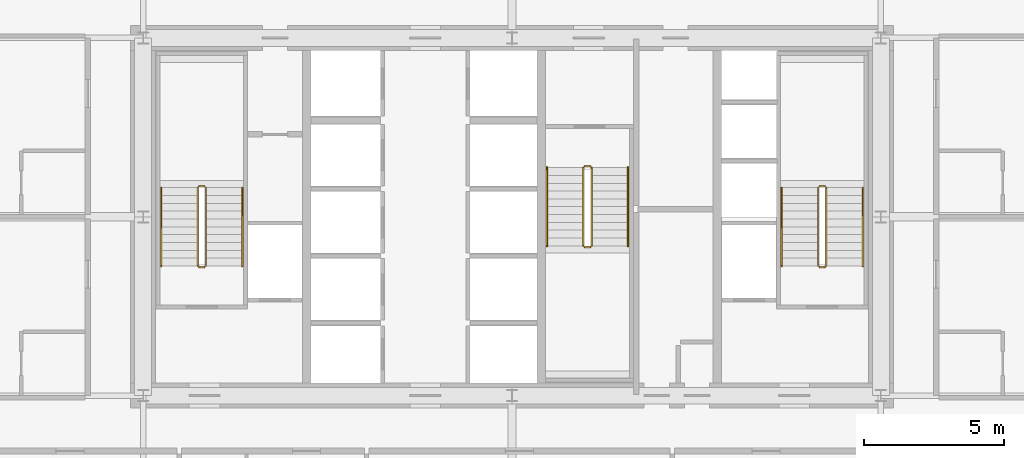
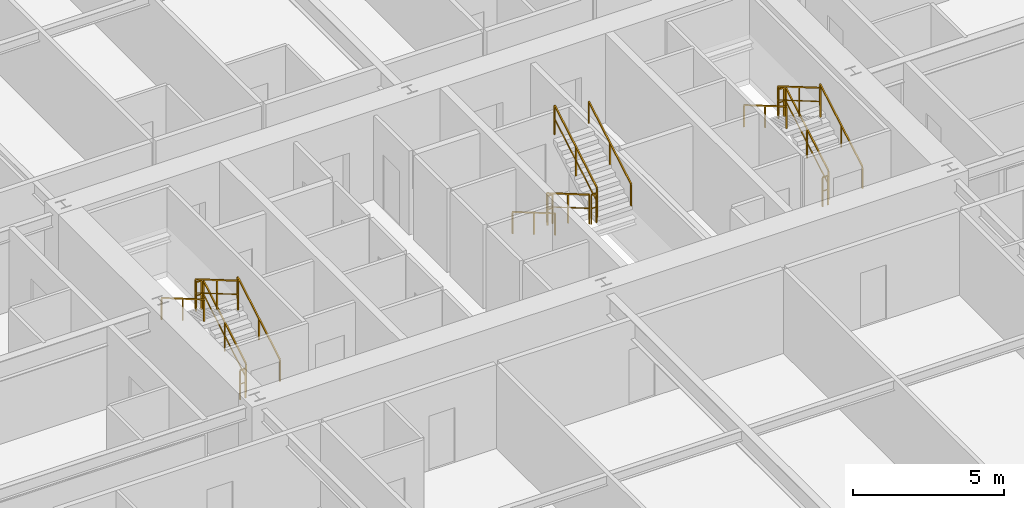
# One storey, part 43 of 43: 18 railings.
"""IFC4 building model written with IfcOpenShell, lengths in metres."""

from ifc_helpers import new_model, si_unit, direction, frame, origin, origin_2d, place, context, subcontext, project, spatial, rectangle, extrude, source, transform, mapped, material, layer, layer_set, type_object, element, save


model = new_model("IFC4")

# Units and contexts
model_context = context("Model", 3, precision=1e-05, world=origin(), true_north=direction((0.0, 1.0)))
body_context = subcontext(model_context, "Body", "Model", "MODEL_VIEW")
ifc_project = project(units=[si_unit("LENGTHUNIT", "METRE"), si_unit("AREAUNIT", "SQUARE_METRE"), si_unit("VOLUMEUNIT", "CUBIC_METRE"), si_unit("PLANEANGLEUNIT", "RADIAN"), si_unit("MASSUNIT", "GRAM", prefix="KILO"), si_unit("THERMODYNAMICTEMPERATUREUNIT", "KELVIN"), si_unit("POWERUNIT", "WATT")], contexts=[model_context])

# Site, building, storey
site_placement = place(None, origin())
site = spatial("IfcSite", under=ifc_project, at=site_placement, CompositionType="ELEMENT")
building_placement = place(site_placement, origin())
building = spatial("IfcBuilding", under=site, at=building_placement, Name="Yuzanri Waterfront Tower", CompositionType="ELEMENT")
storey_placement = place(building_placement, frame((0.0, 0.0, 46.0)))
storey = spatial("IfcBuildingStorey", under=building, at=storey_placement, Name="L11", CompositionType="ELEMENT", Elevation=46.0)

# Railings
ifc_material_1 = material(Name="Painted Galvanized Fire Steel", Category="steel")
ifc_layer_1 = layer(ifc_material_1, 0.06005859375)
ifc_layer_set_1 = layer_set([ifc_layer_1], Name="Painted Galvanized Fire Steel")
railing_type_1 = type_object("IfcRailingType", Name="Painted Steel Stairwell Guardrail 1120", PredefinedType="GUARDRAIL", material=ifc_layer_set_1)
shared_shape_1 = source(origin(), body_context, "Body", "SweptSolid", [
    extrude(rectangle(XDim=0.050048828125, YDim=0.050048828125, at=origin_2d()), frame((0.0, 0.0, 1.1748046875), z_axis=(-1.0, 0.0, 0.0), x_axis=(0.0, -1.0, 0.0)), (0.0, 0.0, 1.0), 0.199951171875),
    extrude(rectangle(XDim=0.035888671875, YDim=0.030029296875, at=origin_2d()), frame((0.0, 0.0, 0.6240234375), z_axis=(-1.0, 0.0, 0.0), x_axis=(0.0, -1.0, 0.0)), (0.0, 0.0, 1.0), 0.199951171875),
    extrude(rectangle(XDim=0.0458984375, YDim=0.0458984375, at=origin_2d()), origin(), (0.0, 0.0, 1.0), 1.14990234375),
    extrude(rectangle(XDim=0.0458984375, YDim=0.0458984375, at=origin_2d()), frame((-0.199951171875, 0.0, 0.0)), (0.0, 0.0, 1.0), 1.14990234375),
])
for number, where, name in (
    (1, (26.0, 26.889892578125, 1.800048828125), "L11 ST-01 stair guard 2"),
    (2, (26.0, 23.989990234375, 0.0), "L11 ST-01 stair guard 4"),
    (3, (48.199951171875, 26.889892578125, 1.800048828125), "L11 ST-02 stair guard 2"),
    (4, (48.199951171875, 23.989990234375, 0.0), "L11 ST-02 stair guard 4"),
):
    element("IfcRailing", number, at=place(storey_placement, frame(where)), inside=storey, type_object=railing_type_1, Name=name, PredefinedType="GUARDRAIL", context=body_context, shape_type="MappedRepresentation", body=[
        mapped(shared_shape_1, transform((0.0, 0.0, 0.0), scale=1.0)),
    ])
shared_shape_2 = source(origin(), body_context, "Body", "SweptSolid", [
    extrude(rectangle(XDim=0.050048828125, YDim=0.050048828125, at=origin_2d()), frame((0.0, 0.0, 1.1748046875), z_axis=(0.0, 0.863360870873, 0.504586966384), x_axis=(-1.0, 0.0, 0.0)), (0.0, 0.0, 1.0), 3.2431640625),
    extrude(rectangle(XDim=0.035888671875, YDim=0.030029296875, at=origin_2d()), frame((0.0, 0.0, 0.6240234375), z_axis=(0.0, 0.863360870873, 0.504586966384), x_axis=(-1.0, 0.0, 0.0)), (0.0, 0.0, 1.0), 3.2431640625),
    extrude(rectangle(XDim=0.0458984375, YDim=0.0458984375, at=origin_2d()), origin(), (0.0, 0.0, 1.0), 1.14990234375),
    extrude(rectangle(XDim=0.0458984375, YDim=0.0458984375, at=origin_2d()), frame((0.0, 1.39990234375, 0.818359375)), (0.0, 0.0, 1.0), 1.14990234375),
    extrude(rectangle(XDim=0.0458984375, YDim=0.0458984375, at=origin_2d()), frame((0.0, 2.800048828125, 1.636474609375)), (0.0, 0.0, 1.0), 1.14990234375),
])
for number, where, name in (
    (5, (26.050048828125, 24.0400390625, 0.16357421875), "L11 ST-01 stair guard 1"),
    (6, (48.25, 24.0400390625, 0.16357421875), "L11 ST-02 stair guard 1"),
    (7, (39.85009765625, 24.760009765625, 1.963623046875), "L11 ST-03 stair guard 3"),
):
    element("IfcRailing", number, at=place(storey_placement, frame(where)), inside=storey, type_object=railing_type_1, Name=name, PredefinedType="GUARDRAIL", context=body_context, shape_type="MappedRepresentation", body=[
        mapped(shared_shape_2, transform((0.0, 0.0, 0.0), scale=1.0)),
    ])
shared_shape_3 = source(origin(), body_context, "Body", "SweptSolid", [
    extrude(rectangle(XDim=0.050048828125, YDim=0.050048828125, at=origin_2d()), frame((0.0, 0.0, 1.1748046875), z_axis=(0.0, -0.863360870873, 0.504586966384), x_axis=(1.0, 0.0, 0.0)), (0.0, 0.0, 1.0), 3.2431640625),
    extrude(rectangle(XDim=0.035888671875, YDim=0.030029296875, at=origin_2d()), frame((0.0, 0.0, 0.6240234375), z_axis=(0.0, -0.863360870873, 0.504586966384), x_axis=(1.0, 0.0, 0.0)), (0.0, 0.0, 1.0), 3.2431640625),
    extrude(rectangle(XDim=0.0458984375, YDim=0.0458984375, at=origin_2d()), origin(), (0.0, 0.0, 1.0), 1.14990234375),
    extrude(rectangle(XDim=0.0458984375, YDim=0.0458984375, at=origin_2d()), frame((0.0, -1.39990234375, 0.818359375)), (0.0, 0.0, 1.0), 1.14990234375),
    extrude(rectangle(XDim=0.0458984375, YDim=0.0458984375, at=origin_2d()), frame((0.0, -2.800048828125, 1.636474609375)), (0.0, 0.0, 1.0), 1.14990234375),
])
for number, where, name in (
    (8, (25.75, 26.840087890625, 1.963623046875), "L11 ST-01 stair guard 3"),
    (9, (47.949951171875, 26.840087890625, 1.963623046875), "L11 ST-02 stair guard 3"),
    (10, (39.550048828125, 27.56005859375, 0.16357421875), "L11 ST-03 stair guard 1"),
):
    element("IfcRailing", number, at=place(storey_placement, frame(where)), inside=storey, type_object=railing_type_1, Name=name, PredefinedType="GUARDRAIL", context=body_context, shape_type="MappedRepresentation", body=[
        mapped(shared_shape_3, transform((0.0, 0.0, 0.0), scale=1.0)),
    ])
ifc_material_2 = material(Name="Anodized Architectural Bronze", Category="metal")
ifc_layer_2 = layer(ifc_material_2, 0.050048828125)
ifc_layer_set_2 = layer_set([ifc_layer_2], Name="Anodized Architectural Bronze")
railing_type_2 = type_object("IfcRailingType", Name="Brushed Bronze Stair Pitch Handrail 920", PredefinedType="HANDRAIL", material=ifc_layer_set_2)
shared_shape_4 = source(origin(), body_context, "Body", "SweptSolid", [
    extrude(rectangle(XDim=0.050048828125, YDim=0.050048828125, at=origin_2d()), frame((0.0, 0.0, 0.875), z_axis=(0.0, 0.863360870873, 0.504586966384), x_axis=(-1.0, 0.0, 0.0)), (0.0, 0.0, 1.0), 3.2431640625),
    extrude(rectangle(XDim=0.0458984375, YDim=0.0458984375, at=origin_2d()), origin(), (0.0, 0.0, 1.0), 0.849853515625),
    extrude(rectangle(XDim=0.0458984375, YDim=0.0458984375, at=origin_2d()), frame((0.0, 1.39990234375, 0.818359375)), (0.0, 0.0, 1.0), 0.849853515625),
    extrude(rectangle(XDim=0.0458984375, YDim=0.0458984375, at=origin_2d()), frame((0.0, 2.800048828125, 1.636474609375)), (0.0, 0.0, 1.0), 0.849853515625),
])
for number, where, name in (
    (11, (27.35009765625, 24.0400390625, 0.16357421875), "L11 ST-01 stair handrail 1"),
    (12, (49.550048828125, 24.0400390625, 0.16357421875), "L11 ST-02 stair handrail 1"),
    (13, (41.14990234375, 24.760009765625, 1.963623046875), "L11 ST-03 stair handrail 2"),
):
    element("IfcRailing", number, at=place(storey_placement, frame(where)), inside=storey, type_object=railing_type_2, Name=name, PredefinedType="HANDRAIL", context=body_context, shape_type="MappedRepresentation", body=[
        mapped(shared_shape_4, transform((0.0, 0.0, 0.0), scale=1.0)),
    ])
shared_shape_5 = source(origin(), body_context, "Body", "SweptSolid", [
    extrude(rectangle(XDim=0.050048828125, YDim=0.050048828125, at=origin_2d()), frame((0.0, 0.0, 0.875), z_axis=(0.0, -0.863360870873, 0.504586966384), x_axis=(1.0, 0.0, 0.0)), (0.0, 0.0, 1.0), 3.2431640625),
    extrude(rectangle(XDim=0.0458984375, YDim=0.0458984375, at=origin_2d()), origin(), (0.0, 0.0, 1.0), 0.849853515625),
    extrude(rectangle(XDim=0.0458984375, YDim=0.0458984375, at=origin_2d()), frame((0.0, -1.39990234375, 0.818359375)), (0.0, 0.0, 1.0), 0.849853515625),
    extrude(rectangle(XDim=0.0458984375, YDim=0.0458984375, at=origin_2d()), frame((0.0, -2.800048828125, 1.636474609375)), (0.0, 0.0, 1.0), 0.849853515625),
])
for number, where, name in (
    (14, (24.449951171875, 26.840087890625, 1.963623046875), "L11 ST-01 stair handrail 2"),
    (15, (46.64990234375, 26.840087890625, 1.963623046875), "L11 ST-02 stair handrail 2"),
    (16, (38.25, 27.56005859375, 0.16357421875), "L11 ST-03 stair handrail 1"),
):
    element("IfcRailing", number, at=place(storey_placement, frame(where)), inside=storey, type_object=railing_type_2, Name=name, PredefinedType="HANDRAIL", context=body_context, shape_type="MappedRepresentation", body=[
        mapped(shared_shape_5, transform((0.0, 0.0, 0.0), scale=1.0)),
    ])
shared_shape_6 = source(origin(), body_context, "Body", "SweptSolid", [
    extrude(rectangle(XDim=0.050048828125, YDim=0.050048828125, at=origin_2d()), frame((0.0, 0.0, 1.1748046875), z_axis=(1.0, 0.0, 0.0), x_axis=(0.0, 1.0, 0.0)), (0.0, 0.0, 1.0), 0.199951171875),
    extrude(rectangle(XDim=0.035888671875, YDim=0.030029296875, at=origin_2d()), frame((0.0, 0.0, 0.6240234375), z_axis=(1.0, 0.0, 0.0), x_axis=(0.0, 1.0, 0.0)), (0.0, 0.0, 1.0), 0.199951171875),
    extrude(rectangle(XDim=0.0458984375, YDim=0.0458984375, at=origin_2d()), origin(), (0.0, 0.0, 1.0), 1.14990234375),
    extrude(rectangle(XDim=0.0458984375, YDim=0.0458984375, at=origin_2d()), frame((0.199951171875, 0.0, 0.0)), (0.0, 0.0, 1.0), 1.14990234375),
])
for number, where, name in (
    (17, (39.60009765625, 24.7099609375, 1.800048828125), "L11 ST-03 stair guard 2"),
    (18, (39.60009765625, 27.610107421875, 0.0), "L11 ST-03 stair guard 4"),
):
    element("IfcRailing", number, at=place(storey_placement, frame(where)), inside=storey, type_object=railing_type_1, Name=name, PredefinedType="GUARDRAIL", context=body_context, shape_type="MappedRepresentation", body=[
        mapped(shared_shape_6, transform((0.0, 0.0, 0.0), scale=1.0)),
    ])

save(model, "model.ifc")
